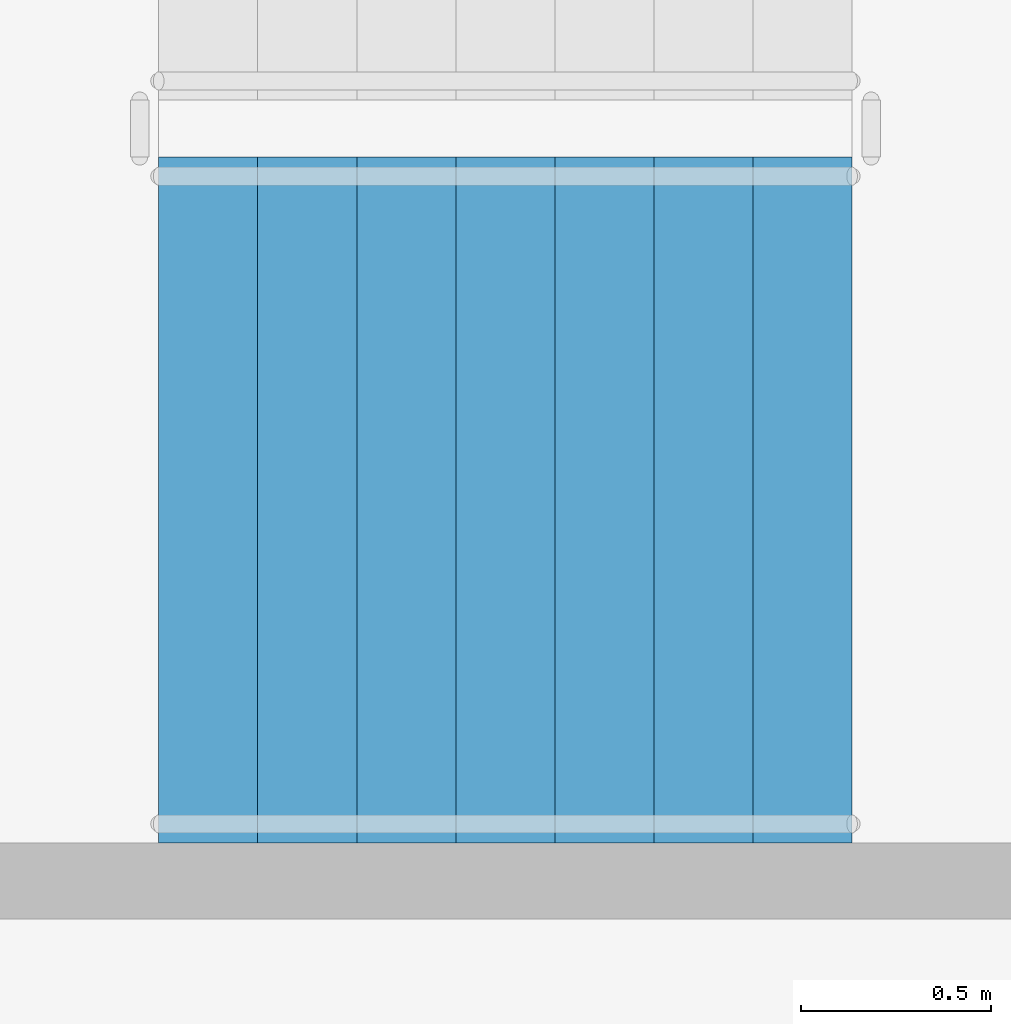
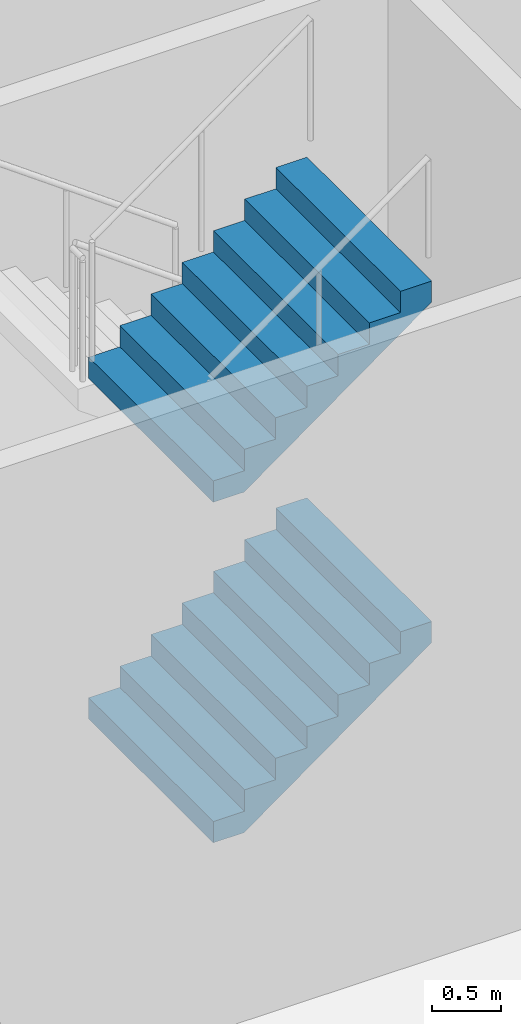
# One storey, part 54 of 75: 2 stair flights, 1 element without a shape of its own.
"""IFC4 building model written with IfcOpenShell, lengths in metres."""

from ifc_helpers import new_model, si_unit, direction, frame, origin, place, context, subcontext, project, spatial, faceted_brep, material, type_object, element, aggregate, save


model = new_model("IFC4")

# Units and contexts
model_context = context("Model", 3, precision=1e-05, world=origin(), true_north=direction((0.0, 1.0)))
body_context = subcontext(model_context, "Body", "Model", "MODEL_VIEW")
ifc_project = project(units=[si_unit("LENGTHUNIT", "METRE"), si_unit("AREAUNIT", "SQUARE_METRE"), si_unit("VOLUMEUNIT", "CUBIC_METRE"), si_unit("PLANEANGLEUNIT", "RADIAN"), si_unit("MASSUNIT", "GRAM", prefix="KILO")], contexts=[model_context])

# Site, building, storey
site_placement = place(None, origin())
site = spatial("IfcSite", under=ifc_project, at=site_placement, CompositionType="ELEMENT")
building_placement = place(site_placement, origin())
building = spatial("IfcBuilding", under=site, at=building_placement, Name="Ipe Terrace Towers", CompositionType="ELEMENT")
storey_placement = place(building_placement, origin())
storey = spatial("IfcBuildingStorey", under=building, at=storey_placement, Name="L00", CompositionType="ELEMENT", Elevation=0.0)

# Stair, stair flights
ifc_material_1 = material(Name="Concrete C30/37", Category="concrete")
stair_type = type_object("IfcStairType", Name="Protected exit stair", PredefinedType="HALF_TURN_STAIR", material=ifc_material_1)
stair_placement = place(storey_placement, origin())
stair = element("IfcStair", 1, at=stair_placement, inside=storey, type_object=stair_type, Name="L00 Podium exit stair PS1", PredefinedType="HALF_TURN_STAIR")
ifc_material_2 = material(Name="Concrete C30/37", Category="concrete")
stair_flight_type = type_object("IfcStairFlightType", Name="Exit stair flight 1800", PredefinedType="STRAIGHT", material=ifc_material_2)
stair_flight_1_placement = place(storey_placement, frame((-56.090087890625, 23.550048828125, 1.5), z_axis=(0.0, 0.0, 1.0), x_axis=(1.0, 0.0, 0.0)))
stair_flight_1 = element("IfcStairFlight", 2, at=stair_flight_1_placement, type_object=stair_flight_type, Name="PS1 flight 2", NumberOfRisers=8, NumberOfTreads=7, PredefinedType="STRAIGHT", RiserHeight=0.1875, TreadLength=0.26, context=body_context, shape_type="Brep", body=[
    faceted_brep([(0.25634765625, -0.89990234375, 0.0), (1.820068359375, -0.89990234375, 1.127685546875), (1.820068359375, -0.89990234375, 1.3125), (1.56005859375, -0.89990234375, 1.3125), (1.56005859375, -0.89990234375, 1.125), (1.300048828125, -0.89990234375, 1.125), (1.300048828125, -0.89990234375, 0.9375), (1.0400390625, -0.89990234375, 0.9375), (1.0400390625, -0.89990234375, 0.75), (0.780029296875, -0.89990234375, 0.75), (0.780029296875, -0.89990234375, 0.5625), (0.52001953125, -0.89990234375, 0.5625), (0.52001953125, -0.89990234375, 0.375), (0.260009765625, -0.89990234375, 0.375), (0.260009765625, -0.89990234375, 0.1875), (0.0, -0.89990234375, 0.1875), (0.0, -0.89990234375, 0.0), (0.0, 0.89990234375, 0.0), (0.0, 0.89990234375, 0.1875), (0.260009765625, 0.89990234375, 0.1875), (0.260009765625, 0.89990234375, 0.375), (0.52001953125, 0.89990234375, 0.375), (0.52001953125, 0.89990234375, 0.5625), (0.780029296875, 0.89990234375, 0.5625), (0.780029296875, 0.89990234375, 0.75), (1.0400390625, 0.89990234375, 0.75), (1.0400390625, 0.89990234375, 0.9375), (1.300048828125, 0.89990234375, 0.9375), (1.300048828125, 0.89990234375, 1.125), (1.56005859375, 0.89990234375, 1.125), (1.56005859375, 0.89990234375, 1.3125), (1.820068359375, 0.89990234375, 1.3125), (1.820068359375, 0.89990234375, 1.127685546875), (0.25634765625, 0.89990234375, 0.0), (0.0, -0.300048828125, 0.1875), (0.0, -0.1201171875, 0.1875), (0.0, -0.06005859375, 0.1875), (0.0, -0.030029296875, 0.1875), (0.0, -0.010009765625, 0.1875), (0.0, 0.0, 0.1875), (0.0, 0.010009765625, 0.1875), (0.0, 0.030029296875, 0.1875), (0.0, 0.06005859375, 0.1875), (0.0, 0.1201171875, 0.1875), (0.0, 0.300048828125, 0.1875), (0.0, 0.300048828125, 0.0), (0.0, 0.1201171875, 0.0), (0.0, 0.06005859375, 0.0), (0.0, 0.030029296875, 0.0), (0.0, 0.010009765625, 0.0), (0.0, 0.0, 0.0), (0.0, -0.010009765625, 0.0), (0.0, -0.030029296875, 0.0), (0.0, -0.06005859375, 0.0), (0.0, -0.1201171875, 0.0), (0.0, -0.300048828125, 0.0), (0.260009765625, -0.300048828125, 0.1875), (0.260009765625, -0.1201171875, 0.1875), (0.260009765625, -0.06005859375, 0.1875), (0.260009765625, -0.030029296875, 0.1875), (0.260009765625, -0.010009765625, 0.1875), (0.260009765625, 0.0, 0.1875), (0.260009765625, 0.010009765625, 0.1875), (0.260009765625, 0.030029296875, 0.1875), (0.260009765625, 0.06005859375, 0.1875), (0.260009765625, 0.1201171875, 0.1875), (0.260009765625, 0.300048828125, 0.1875), (0.260009765625, -0.300048828125, 0.375), (0.260009765625, -0.1201171875, 0.375), (0.260009765625, -0.06005859375, 0.375), (0.260009765625, -0.030029296875, 0.375), (0.260009765625, -0.010009765625, 0.375), (0.260009765625, 0.0, 0.375), (0.260009765625, 0.010009765625, 0.375), (0.260009765625, 0.030029296875, 0.375), (0.260009765625, 0.06005859375, 0.375), (0.260009765625, 0.1201171875, 0.375), (0.260009765625, 0.300048828125, 0.375), (0.52001953125, -0.300048828125, 0.375), (0.52001953125, -0.1201171875, 0.375), (0.52001953125, -0.06005859375, 0.375), (0.52001953125, -0.030029296875, 0.375), (0.52001953125, -0.010009765625, 0.375), (0.52001953125, 0.0, 0.375), (0.52001953125, 0.010009765625, 0.375), (0.52001953125, 0.030029296875, 0.375), (0.52001953125, 0.06005859375, 0.375), (0.52001953125, 0.1201171875, 0.375), (0.52001953125, 0.300048828125, 0.375), (0.52001953125, -0.300048828125, 0.5625), (0.52001953125, -0.1201171875, 0.5625), (0.52001953125, -0.06005859375, 0.5625), (0.52001953125, -0.030029296875, 0.5625), (0.52001953125, -0.010009765625, 0.5625), (0.52001953125, 0.0, 0.5625), (0.52001953125, 0.010009765625, 0.5625), (0.52001953125, 0.030029296875, 0.5625), (0.52001953125, 0.06005859375, 0.5625), (0.52001953125, 0.1201171875, 0.5625), (0.52001953125, 0.300048828125, 0.5625), (0.780029296875, -0.300048828125, 0.5625), (0.780029296875, -0.1201171875, 0.5625), (0.780029296875, -0.06005859375, 0.5625), (0.780029296875, -0.030029296875, 0.5625), (0.780029296875, -0.010009765625, 0.5625), (0.780029296875, 0.0, 0.5625), (0.780029296875, 0.010009765625, 0.5625), (0.780029296875, 0.030029296875, 0.5625), (0.780029296875, 0.06005859375, 0.5625), (0.780029296875, 0.1201171875, 0.5625), (0.780029296875, 0.300048828125, 0.5625), (0.780029296875, -0.300048828125, 0.75), (0.780029296875, -0.1201171875, 0.75), (0.780029296875, -0.06005859375, 0.75), (0.780029296875, -0.030029296875, 0.75), (0.780029296875, -0.010009765625, 0.75), (0.780029296875, 0.0, 0.75), (0.780029296875, 0.010009765625, 0.75), (0.780029296875, 0.030029296875, 0.75), (0.780029296875, 0.06005859375, 0.75), (0.780029296875, 0.1201171875, 0.75), (0.780029296875, 0.300048828125, 0.75), (1.0400390625, -0.300048828125, 0.75), (1.0400390625, -0.1201171875, 0.75), (1.0400390625, -0.06005859375, 0.75), (1.0400390625, -0.030029296875, 0.75), (1.0400390625, -0.010009765625, 0.75), (1.0400390625, 0.0, 0.75), (1.0400390625, 0.010009765625, 0.75), (1.0400390625, 0.030029296875, 0.75), (1.0400390625, 0.06005859375, 0.75), (1.0400390625, 0.1201171875, 0.75), (1.0400390625, 0.300048828125, 0.75), (1.0400390625, -0.300048828125, 0.9375), (1.0400390625, -0.1201171875, 0.9375), (1.0400390625, -0.06005859375, 0.9375), (1.0400390625, -0.030029296875, 0.9375), (1.0400390625, -0.010009765625, 0.9375), (1.0400390625, 0.0, 0.9375), (1.0400390625, 0.010009765625, 0.9375), (1.0400390625, 0.030029296875, 0.9375), (1.0400390625, 0.06005859375, 0.9375), (1.0400390625, 0.1201171875, 0.9375), (1.0400390625, 0.300048828125, 0.9375), (1.300048828125, -0.300048828125, 0.9375), (1.300048828125, -0.1201171875, 0.9375), (1.300048828125, -0.06005859375, 0.9375), (1.300048828125, -0.030029296875, 0.9375), (1.300048828125, -0.010009765625, 0.9375), (1.300048828125, 0.0, 0.9375), (1.300048828125, 0.010009765625, 0.9375), (1.300048828125, 0.030029296875, 0.9375), (1.300048828125, 0.06005859375, 0.9375), (1.300048828125, 0.1201171875, 0.9375), (1.300048828125, 0.300048828125, 0.9375), (1.300048828125, -0.300048828125, 1.125), (1.300048828125, -0.1201171875, 1.125), (1.300048828125, -0.06005859375, 1.125), (1.300048828125, -0.030029296875, 1.125), (1.300048828125, -0.010009765625, 1.125), (1.300048828125, 0.0, 1.125), (1.300048828125, 0.010009765625, 1.125), (1.300048828125, 0.030029296875, 1.125), (1.300048828125, 0.06005859375, 1.125), (1.300048828125, 0.1201171875, 1.125), (1.300048828125, 0.300048828125, 1.125), (1.56005859375, -0.300048828125, 1.125), (1.56005859375, -0.1201171875, 1.125), (1.56005859375, -0.06005859375, 1.125), (1.56005859375, -0.030029296875, 1.125), (1.56005859375, -0.010009765625, 1.125), (1.56005859375, 0.0, 1.125), (1.56005859375, 0.010009765625, 1.125), (1.56005859375, 0.030029296875, 1.125), (1.56005859375, 0.06005859375, 1.125), (1.56005859375, 0.1201171875, 1.125), (1.56005859375, 0.300048828125, 1.125), (1.56005859375, -0.300048828125, 1.3125), (1.56005859375, -0.1201171875, 1.3125), (1.56005859375, -0.06005859375, 1.3125), (1.56005859375, -0.030029296875, 1.3125), (1.56005859375, -0.010009765625, 1.3125), (1.56005859375, 0.0, 1.3125), (1.56005859375, 0.010009765625, 1.3125), (1.56005859375, 0.030029296875, 1.3125), (1.56005859375, 0.06005859375, 1.3125), (1.56005859375, 0.1201171875, 1.3125), (1.56005859375, 0.300048828125, 1.3125), (1.820068359375, -0.300048828125, 1.3125), (1.820068359375, -0.1201171875, 1.3125), (1.820068359375, -0.06005859375, 1.3125), (1.820068359375, -0.030029296875, 1.3125), (1.820068359375, -0.010009765625, 1.3125), (1.820068359375, 0.0, 1.3125), (1.820068359375, 0.010009765625, 1.3125), (1.820068359375, 0.030029296875, 1.3125), (1.820068359375, 0.06005859375, 1.3125), (1.820068359375, 0.1201171875, 1.3125), (1.820068359375, 0.300048828125, 1.3125), (1.820068359375, -0.300048828125, 1.127685546875), (1.820068359375, -0.1201171875, 1.127685546875), (1.820068359375, -0.06005859375, 1.127685546875), (1.820068359375, -0.030029296875, 1.127685546875), (1.820068359375, -0.010009765625, 1.127685546875), (1.820068359375, 0.0, 1.127685546875), (1.820068359375, 0.010009765625, 1.127685546875), (1.820068359375, 0.030029296875, 1.127685546875), (1.820068359375, 0.06005859375, 1.127685546875), (1.820068359375, 0.1201171875, 1.127685546875), (1.820068359375, 0.300048828125, 1.127685546875), (0.25634765625, -0.300048828125, 0.0), (0.25634765625, -0.1201171875, 0.0), (0.25634765625, -0.06005859375, 0.0), (0.25634765625, -0.030029296875, 0.0), (0.25634765625, -0.010009765625, 0.0), (0.25634765625, 0.0, 0.0), (0.25634765625, 0.010009765625, 0.0), (0.25634765625, 0.030029296875, 0.0), (0.25634765625, 0.06005859375, 0.0), (0.25634765625, 0.1201171875, 0.0), (0.25634765625, 0.300048828125, 0.0)], [[[0, 1, 2, 3, 4, 5, 6, 7, 8, 9, 10, 11, 12, 13, 14, 15, 16]], [[17, 18, 19, 20, 21, 22, 23, 24, 25, 26, 27, 28, 29, 30, 31, 32, 33]], [[15, 34, 35, 36, 37, 38, 39, 40, 41, 42, 43, 44, 18, 17, 45, 46, 47, 48, 49, 50, 51, 52, 53, 54, 55, 16]], [[14, 56, 57, 58, 59, 60, 61, 62, 63, 64, 65, 66, 19, 18, 44, 43, 42, 41, 40, 39, 38, 37, 36, 35, 34, 15]], [[13, 67, 68, 69, 70, 71, 72, 73, 74, 75, 76, 77, 20, 19, 66, 65, 64, 63, 62, 61, 60, 59, 58, 57, 56, 14]], [[12, 78, 79, 80, 81, 82, 83, 84, 85, 86, 87, 88, 21, 20, 77, 76, 75, 74, 73, 72, 71, 70, 69, 68, 67, 13]], [[11, 89, 90, 91, 92, 93, 94, 95, 96, 97, 98, 99, 22, 21, 88, 87, 86, 85, 84, 83, 82, 81, 80, 79, 78, 12]], [[10, 100, 101, 102, 103, 104, 105, 106, 107, 108, 109, 110, 23, 22, 99, 98, 97, 96, 95, 94, 93, 92, 91, 90, 89, 11]], [[9, 111, 112, 113, 114, 115, 116, 117, 118, 119, 120, 121, 24, 23, 110, 109, 108, 107, 106, 105, 104, 103, 102, 101, 100, 10]], [[8, 122, 123, 124, 125, 126, 127, 128, 129, 130, 131, 132, 25, 24, 121, 120, 119, 118, 117, 116, 115, 114, 113, 112, 111, 9]], [[7, 133, 134, 135, 136, 137, 138, 139, 140, 141, 142, 143, 26, 25, 132, 131, 130, 129, 128, 127, 126, 125, 124, 123, 122, 8]], [[6, 144, 145, 146, 147, 148, 149, 150, 151, 152, 153, 154, 27, 26, 143, 142, 141, 140, 139, 138, 137, 136, 135, 134, 133, 7]], [[5, 155, 156, 157, 158, 159, 160, 161, 162, 163, 164, 165, 28, 27, 154, 153, 152, 151, 150, 149, 148, 147, 146, 145, 144, 6]], [[4, 166, 167, 168, 169, 170, 171, 172, 173, 174, 175, 176, 29, 28, 165, 164, 163, 162, 161, 160, 159, 158, 157, 156, 155, 5]], [[3, 177, 178, 179, 180, 181, 182, 183, 184, 185, 186, 187, 30, 29, 176, 175, 174, 173, 172, 171, 170, 169, 168, 167, 166, 4]], [[2, 188, 189, 190, 191, 192, 193, 194, 195, 196, 197, 198, 31, 30, 187, 186, 185, 184, 183, 182, 181, 180, 179, 178, 177, 3]], [[1, 199, 200, 201, 202, 203, 204, 205, 206, 207, 208, 209, 32, 31, 198, 197, 196, 195, 194, 193, 192, 191, 190, 189, 188, 2]], [[0, 210, 211, 212, 213, 214, 215, 216, 217, 218, 219, 220, 33, 32, 209, 208, 207, 206, 205, 204, 203, 202, 201, 200, 199, 1]], [[16, 55, 54, 53, 52, 51, 50, 49, 48, 47, 46, 45, 17, 33, 220, 219, 218, 217, 216, 215, 214, 213, 212, 211, 210, 0]]]),
])
stair_flight_2_placement = place(storey_placement, frame((-56.090087890625, 23.550048828125, 4.5), z_axis=(0.0, 0.0, 1.0), x_axis=(1.0, 0.0, 0.0)))
stair_flight_2 = element("IfcStairFlight", 3, at=stair_flight_2_placement, type_object=stair_flight_type, Name="PS1 flight 4", NumberOfRisers=8, NumberOfTreads=7, PredefinedType="STRAIGHT", RiserHeight=0.1875, TreadLength=0.26, context=body_context, shape_type="Brep", body=[
    faceted_brep([(0.25634765625, -0.89990234375, 0.0), (1.820068359375, -0.89990234375, 1.127685546875), (1.820068359375, -0.89990234375, 1.3125), (1.56005859375, -0.89990234375, 1.3125), (1.56005859375, -0.89990234375, 1.125), (1.300048828125, -0.89990234375, 1.125), (1.300048828125, -0.89990234375, 0.9375), (1.0400390625, -0.89990234375, 0.9375), (1.0400390625, -0.89990234375, 0.75), (0.780029296875, -0.89990234375, 0.75), (0.780029296875, -0.89990234375, 0.5625), (0.52001953125, -0.89990234375, 0.5625), (0.52001953125, -0.89990234375, 0.375), (0.260009765625, -0.89990234375, 0.375), (0.260009765625, -0.89990234375, 0.1875), (0.0, -0.89990234375, 0.1875), (0.0, -0.89990234375, 0.0), (0.0, 0.89990234375, 0.0), (0.0, 0.89990234375, 0.1875), (0.260009765625, 0.89990234375, 0.1875), (0.260009765625, 0.89990234375, 0.375), (0.52001953125, 0.89990234375, 0.375), (0.52001953125, 0.89990234375, 0.5625), (0.780029296875, 0.89990234375, 0.5625), (0.780029296875, 0.89990234375, 0.75), (1.0400390625, 0.89990234375, 0.75), (1.0400390625, 0.89990234375, 0.9375), (1.300048828125, 0.89990234375, 0.9375), (1.300048828125, 0.89990234375, 1.125), (1.56005859375, 0.89990234375, 1.125), (1.56005859375, 0.89990234375, 1.3125), (1.820068359375, 0.89990234375, 1.3125), (1.820068359375, 0.89990234375, 1.127685546875), (0.25634765625, 0.89990234375, 0.0), (0.0, -0.300048828125, 0.1875), (0.0, -0.1201171875, 0.1875), (0.0, -0.06005859375, 0.1875), (0.0, -0.030029296875, 0.1875), (0.0, -0.010009765625, 0.1875), (0.0, 0.0, 0.1875), (0.0, 0.010009765625, 0.1875), (0.0, 0.030029296875, 0.1875), (0.0, 0.06005859375, 0.1875), (0.0, 0.1201171875, 0.1875), (0.0, 0.300048828125, 0.1875), (0.0, 0.300048828125, 0.0), (0.0, 0.1201171875, 0.0), (0.0, 0.06005859375, 0.0), (0.0, 0.030029296875, 0.0), (0.0, 0.010009765625, 0.0), (0.0, 0.0, 0.0), (0.0, -0.010009765625, 0.0), (0.0, -0.030029296875, 0.0), (0.0, -0.06005859375, 0.0), (0.0, -0.1201171875, 0.0), (0.0, -0.300048828125, 0.0), (0.260009765625, -0.300048828125, 0.1875), (0.260009765625, -0.1201171875, 0.1875), (0.260009765625, -0.06005859375, 0.1875), (0.260009765625, -0.030029296875, 0.1875), (0.260009765625, -0.010009765625, 0.1875), (0.260009765625, 0.0, 0.1875), (0.260009765625, 0.010009765625, 0.1875), (0.260009765625, 0.030029296875, 0.1875), (0.260009765625, 0.06005859375, 0.1875), (0.260009765625, 0.1201171875, 0.1875), (0.260009765625, 0.300048828125, 0.1875), (0.260009765625, -0.300048828125, 0.375), (0.260009765625, -0.1201171875, 0.375), (0.260009765625, -0.06005859375, 0.375), (0.260009765625, -0.030029296875, 0.375), (0.260009765625, -0.010009765625, 0.375), (0.260009765625, 0.0, 0.375), (0.260009765625, 0.010009765625, 0.375), (0.260009765625, 0.030029296875, 0.375), (0.260009765625, 0.06005859375, 0.375), (0.260009765625, 0.1201171875, 0.375), (0.260009765625, 0.300048828125, 0.375), (0.52001953125, -0.300048828125, 0.375), (0.52001953125, -0.1201171875, 0.375), (0.52001953125, -0.06005859375, 0.375), (0.52001953125, -0.030029296875, 0.375), (0.52001953125, -0.010009765625, 0.375), (0.52001953125, 0.0, 0.375), (0.52001953125, 0.010009765625, 0.375), (0.52001953125, 0.030029296875, 0.375), (0.52001953125, 0.06005859375, 0.375), (0.52001953125, 0.1201171875, 0.375), (0.52001953125, 0.300048828125, 0.375), (0.52001953125, -0.300048828125, 0.5625), (0.52001953125, -0.1201171875, 0.5625), (0.52001953125, -0.06005859375, 0.5625), (0.52001953125, -0.030029296875, 0.5625), (0.52001953125, -0.010009765625, 0.5625), (0.52001953125, 0.0, 0.5625), (0.52001953125, 0.010009765625, 0.5625), (0.52001953125, 0.030029296875, 0.5625), (0.52001953125, 0.06005859375, 0.5625), (0.52001953125, 0.1201171875, 0.5625), (0.52001953125, 0.300048828125, 0.5625), (0.780029296875, -0.300048828125, 0.5625), (0.780029296875, -0.1201171875, 0.5625), (0.780029296875, -0.06005859375, 0.5625), (0.780029296875, -0.030029296875, 0.5625), (0.780029296875, -0.010009765625, 0.5625), (0.780029296875, 0.0, 0.5625), (0.780029296875, 0.010009765625, 0.5625), (0.780029296875, 0.030029296875, 0.5625), (0.780029296875, 0.06005859375, 0.5625), (0.780029296875, 0.1201171875, 0.5625), (0.780029296875, 0.300048828125, 0.5625), (0.780029296875, -0.300048828125, 0.75), (0.780029296875, -0.1201171875, 0.75), (0.780029296875, -0.06005859375, 0.75), (0.780029296875, -0.030029296875, 0.75), (0.780029296875, -0.010009765625, 0.75), (0.780029296875, 0.0, 0.75), (0.780029296875, 0.010009765625, 0.75), (0.780029296875, 0.030029296875, 0.75), (0.780029296875, 0.06005859375, 0.75), (0.780029296875, 0.1201171875, 0.75), (0.780029296875, 0.300048828125, 0.75), (1.0400390625, -0.300048828125, 0.75), (1.0400390625, -0.1201171875, 0.75), (1.0400390625, -0.06005859375, 0.75), (1.0400390625, -0.030029296875, 0.75), (1.0400390625, -0.010009765625, 0.75), (1.0400390625, 0.0, 0.75), (1.0400390625, 0.010009765625, 0.75), (1.0400390625, 0.030029296875, 0.75), (1.0400390625, 0.06005859375, 0.75), (1.0400390625, 0.1201171875, 0.75), (1.0400390625, 0.300048828125, 0.75), (1.0400390625, -0.300048828125, 0.9375), (1.0400390625, -0.1201171875, 0.9375), (1.0400390625, -0.06005859375, 0.9375), (1.0400390625, -0.030029296875, 0.9375), (1.0400390625, -0.010009765625, 0.9375), (1.0400390625, 0.0, 0.9375), (1.0400390625, 0.010009765625, 0.9375), (1.0400390625, 0.030029296875, 0.9375), (1.0400390625, 0.06005859375, 0.9375), (1.0400390625, 0.1201171875, 0.9375), (1.0400390625, 0.300048828125, 0.9375), (1.300048828125, -0.300048828125, 0.9375), (1.300048828125, -0.1201171875, 0.9375), (1.300048828125, -0.06005859375, 0.9375), (1.300048828125, -0.030029296875, 0.9375), (1.300048828125, -0.010009765625, 0.9375), (1.300048828125, 0.0, 0.9375), (1.300048828125, 0.010009765625, 0.9375), (1.300048828125, 0.030029296875, 0.9375), (1.300048828125, 0.06005859375, 0.9375), (1.300048828125, 0.1201171875, 0.9375), (1.300048828125, 0.300048828125, 0.9375), (1.300048828125, -0.300048828125, 1.125), (1.300048828125, -0.1201171875, 1.125), (1.300048828125, -0.06005859375, 1.125), (1.300048828125, -0.030029296875, 1.125), (1.300048828125, -0.010009765625, 1.125), (1.300048828125, 0.0, 1.125), (1.300048828125, 0.010009765625, 1.125), (1.300048828125, 0.030029296875, 1.125), (1.300048828125, 0.06005859375, 1.125), (1.300048828125, 0.1201171875, 1.125), (1.300048828125, 0.300048828125, 1.125), (1.56005859375, -0.300048828125, 1.125), (1.56005859375, -0.1201171875, 1.125), (1.56005859375, -0.06005859375, 1.125), (1.56005859375, -0.030029296875, 1.125), (1.56005859375, -0.010009765625, 1.125), (1.56005859375, 0.0, 1.125), (1.56005859375, 0.010009765625, 1.125), (1.56005859375, 0.030029296875, 1.125), (1.56005859375, 0.06005859375, 1.125), (1.56005859375, 0.1201171875, 1.125), (1.56005859375, 0.300048828125, 1.125), (1.56005859375, -0.300048828125, 1.3125), (1.56005859375, -0.1201171875, 1.3125), (1.56005859375, -0.06005859375, 1.3125), (1.56005859375, -0.030029296875, 1.3125), (1.56005859375, -0.010009765625, 1.3125), (1.56005859375, 0.0, 1.3125), (1.56005859375, 0.010009765625, 1.3125), (1.56005859375, 0.030029296875, 1.3125), (1.56005859375, 0.06005859375, 1.3125), (1.56005859375, 0.1201171875, 1.3125), (1.56005859375, 0.300048828125, 1.3125), (1.820068359375, -0.300048828125, 1.3125), (1.820068359375, -0.1201171875, 1.3125), (1.820068359375, -0.06005859375, 1.3125), (1.820068359375, -0.030029296875, 1.3125), (1.820068359375, -0.010009765625, 1.3125), (1.820068359375, 0.0, 1.3125), (1.820068359375, 0.010009765625, 1.3125), (1.820068359375, 0.030029296875, 1.3125), (1.820068359375, 0.06005859375, 1.3125), (1.820068359375, 0.1201171875, 1.3125), (1.820068359375, 0.300048828125, 1.3125), (1.820068359375, -0.300048828125, 1.127685546875), (1.820068359375, -0.1201171875, 1.127685546875), (1.820068359375, -0.06005859375, 1.127685546875), (1.820068359375, -0.030029296875, 1.127685546875), (1.820068359375, -0.010009765625, 1.127685546875), (1.820068359375, 0.0, 1.127685546875), (1.820068359375, 0.010009765625, 1.127685546875), (1.820068359375, 0.030029296875, 1.127685546875), (1.820068359375, 0.06005859375, 1.127685546875), (1.820068359375, 0.1201171875, 1.127685546875), (1.820068359375, 0.300048828125, 1.127685546875), (0.25634765625, -0.300048828125, 0.0), (0.25634765625, -0.1201171875, 0.0), (0.25634765625, -0.06005859375, 0.0), (0.25634765625, -0.030029296875, 0.0), (0.25634765625, -0.010009765625, 0.0), (0.25634765625, 0.0, 0.0), (0.25634765625, 0.010009765625, 0.0), (0.25634765625, 0.030029296875, 0.0), (0.25634765625, 0.06005859375, 0.0), (0.25634765625, 0.1201171875, 0.0), (0.25634765625, 0.300048828125, 0.0)], [[[0, 1, 2, 3, 4, 5, 6, 7, 8, 9, 10, 11, 12, 13, 14, 15, 16]], [[17, 18, 19, 20, 21, 22, 23, 24, 25, 26, 27, 28, 29, 30, 31, 32, 33]], [[15, 34, 35, 36, 37, 38, 39, 40, 41, 42, 43, 44, 18, 17, 45, 46, 47, 48, 49, 50, 51, 52, 53, 54, 55, 16]], [[14, 56, 57, 58, 59, 60, 61, 62, 63, 64, 65, 66, 19, 18, 44, 43, 42, 41, 40, 39, 38, 37, 36, 35, 34, 15]], [[13, 67, 68, 69, 70, 71, 72, 73, 74, 75, 76, 77, 20, 19, 66, 65, 64, 63, 62, 61, 60, 59, 58, 57, 56, 14]], [[12, 78, 79, 80, 81, 82, 83, 84, 85, 86, 87, 88, 21, 20, 77, 76, 75, 74, 73, 72, 71, 70, 69, 68, 67, 13]], [[11, 89, 90, 91, 92, 93, 94, 95, 96, 97, 98, 99, 22, 21, 88, 87, 86, 85, 84, 83, 82, 81, 80, 79, 78, 12]], [[10, 100, 101, 102, 103, 104, 105, 106, 107, 108, 109, 110, 23, 22, 99, 98, 97, 96, 95, 94, 93, 92, 91, 90, 89, 11]], [[9, 111, 112, 113, 114, 115, 116, 117, 118, 119, 120, 121, 24, 23, 110, 109, 108, 107, 106, 105, 104, 103, 102, 101, 100, 10]], [[8, 122, 123, 124, 125, 126, 127, 128, 129, 130, 131, 132, 25, 24, 121, 120, 119, 118, 117, 116, 115, 114, 113, 112, 111, 9]], [[7, 133, 134, 135, 136, 137, 138, 139, 140, 141, 142, 143, 26, 25, 132, 131, 130, 129, 128, 127, 126, 125, 124, 123, 122, 8]], [[6, 144, 145, 146, 147, 148, 149, 150, 151, 152, 153, 154, 27, 26, 143, 142, 141, 140, 139, 138, 137, 136, 135, 134, 133, 7]], [[5, 155, 156, 157, 158, 159, 160, 161, 162, 163, 164, 165, 28, 27, 154, 153, 152, 151, 150, 149, 148, 147, 146, 145, 144, 6]], [[4, 166, 167, 168, 169, 170, 171, 172, 173, 174, 175, 176, 29, 28, 165, 164, 163, 162, 161, 160, 159, 158, 157, 156, 155, 5]], [[3, 177, 178, 179, 180, 181, 182, 183, 184, 185, 186, 187, 30, 29, 176, 175, 174, 173, 172, 171, 170, 169, 168, 167, 166, 4]], [[2, 188, 189, 190, 191, 192, 193, 194, 195, 196, 197, 198, 31, 30, 187, 186, 185, 184, 183, 182, 181, 180, 179, 178, 177, 3]], [[1, 199, 200, 201, 202, 203, 204, 205, 206, 207, 208, 209, 32, 31, 198, 197, 196, 195, 194, 193, 192, 191, 190, 189, 188, 2]], [[0, 210, 211, 212, 213, 214, 215, 216, 217, 218, 219, 220, 33, 32, 209, 208, 207, 206, 205, 204, 203, 202, 201, 200, 199, 1]], [[16, 55, 54, 53, 52, 51, 50, 49, 48, 47, 46, 45, 17, 33, 220, 219, 218, 217, 216, 215, 214, 213, 212, 211, 210, 0]]]),
])
aggregate(stair, [stair_flight_1, stair_flight_2])

save(model, "model.ifc")
